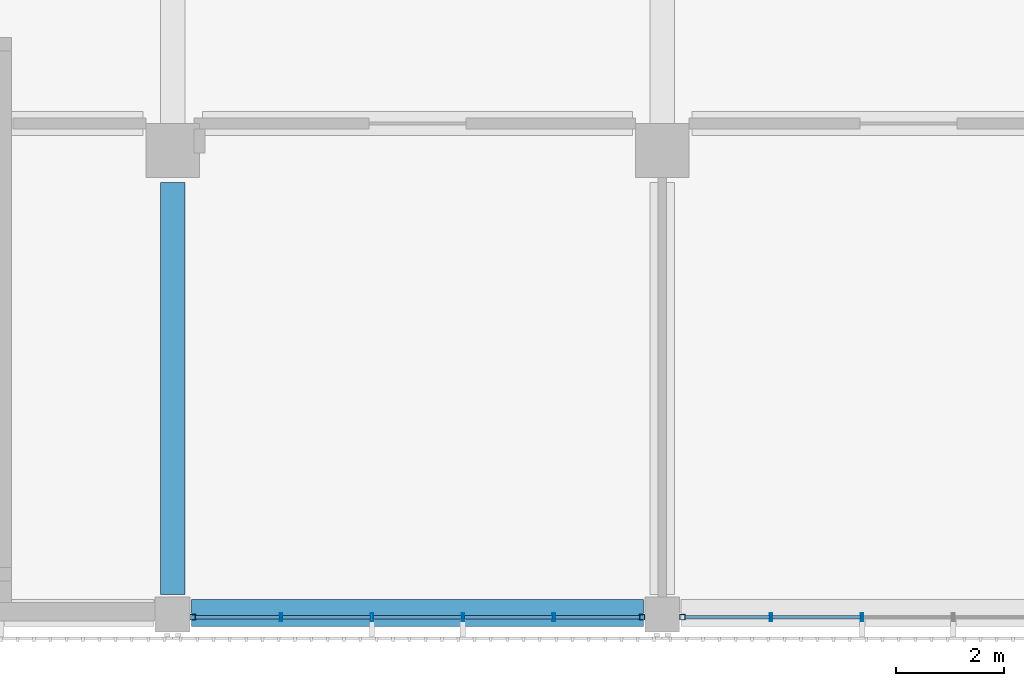
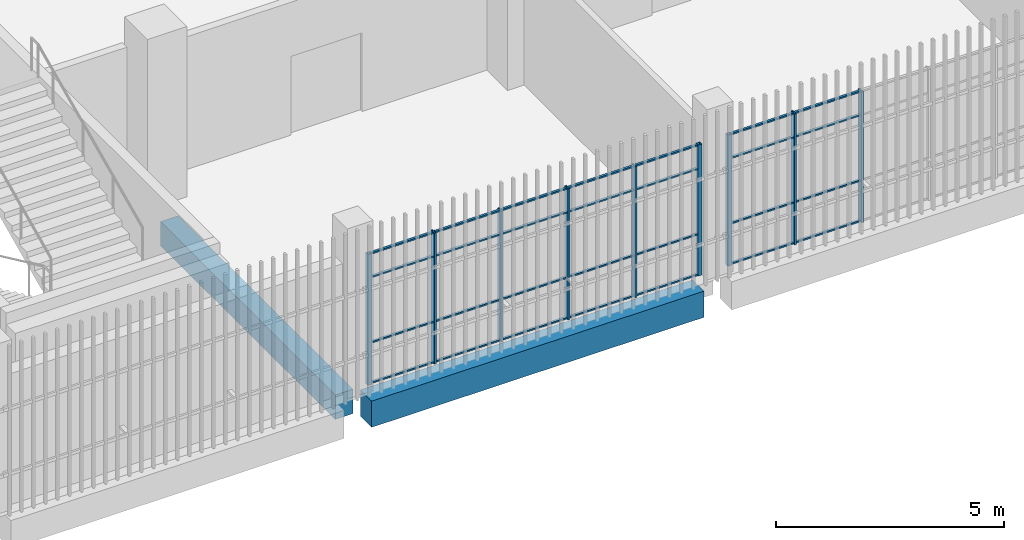
# One storey, part 16 of 126: 37 members, 2 beams, 2 elements without a shape of their own.
"""IFC4 building model written with IfcOpenShell, lengths in metres."""

from ifc_helpers import new_model, si_unit, direction, frame, origin, origin_2d, place, context, subcontext, project, spatial, rectangle, hollow_rectangle, extrude, material, layer, layer_set, material_profile, profile_set, type_object, element, aggregate, save


model = new_model("IFC4")

# Units and contexts
model_context = context("Model", 3, precision=1e-05, world=origin(), true_north=direction((0.0, 1.0)))
body_context = subcontext(model_context, "Body", "Model", "MODEL_VIEW")
ifc_project = project(units=[si_unit("LENGTHUNIT", "METRE"), si_unit("AREAUNIT", "SQUARE_METRE"), si_unit("VOLUMEUNIT", "CUBIC_METRE"), si_unit("PLANEANGLEUNIT", "RADIAN"), si_unit("MASSUNIT", "GRAM", prefix="KILO")], contexts=[model_context])

# Site, building, storey
site_placement = place(None, origin())
site = spatial("IfcSite", under=ifc_project, at=site_placement, CompositionType="ELEMENT")
building_placement = place(site_placement, origin())
building = spatial("IfcBuilding", under=site, at=building_placement, Name="Shirokan Park Arena", CompositionType="ELEMENT")
storey_placement = place(building_placement, frame((0.0, 0.0, 6.3701171875)))
storey = spatial("IfcBuildingStorey", under=building, at=storey_placement, Name="L01", CompositionType="ELEMENT", Elevation=6.3701171875)

# Curtain wall, members
ifc_material_1 = material(Name="Steel and glass curtain wall", Category="steel")
ifc_layer = layer(ifc_material_1, 0.14990234375)
ifc_layer_set = layer_set([ifc_layer], Name="Steel and glass curtain wall 150 mm")
curtain_wall_type = type_object("IfcCurtainWallType", Name="Curtain wall exposed bay 150", PredefinedType="NOTDEFINED", material=ifc_layer_set)
curtain_wall_1_placement = place(storey_placement, origin())
curtain_wall_1 = element("IfcCurtainWall", 1, at=curtain_wall_1_placement, inside=storey, type_object=curtain_wall_type, Name="Curtain wall south bay 8 L01", PredefinedType="NOTDEFINED")
ifc_material_2 = material(Name="Steel S355", Category="steel")
ifc_material_profile_1 = material_profile(ifc_material_2, hollow_rectangle(XDim=0.10009765625, YDim=0.10009765625, WallThickness=0.006103515625, at=origin_2d()), Name="RHS 100x100x6")
ifc_profile_set_1 = profile_set([ifc_material_profile_1], Name="Steel S355")
member_type_1 = type_object("IfcMemberType", Name="Mullion RHS 100x100x6", PredefinedType="MULLION", material=ifc_profile_set_1)
member_1_placement = place(storey_placement, frame((64.074951171875, -0.074951171875, 0.0), z_axis=(0.0, 0.0, 1.0), x_axis=(0.0, 1.0, 0.0)))
member_1 = element("IfcMember", 2, at=member_1_placement, type_object=member_type_1, Name="CW1 mullion 1", PredefinedType="MULLION", context=body_context, shape_type="SweptSolid", body=[
    extrude(hollow_rectangle(XDim=0.10009765625, YDim=0.10009765625, WallThickness=0.006103515625, at=origin_2d()), origin(), (0.0, 0.0, 1.0), 3.5),
])
member_2_placement = place(storey_placement, frame((72.425048828125, -0.074951171875, 0.0), z_axis=(0.0, 0.0, 1.0), x_axis=(0.0, 1.0, 0.0)))
member_2 = element("IfcMember", 3, at=member_2_placement, type_object=member_type_1, Name="CW1 mullion 6", PredefinedType="MULLION", context=body_context, shape_type="SweptSolid", body=[
    extrude(hollow_rectangle(XDim=0.10009765625, YDim=0.10009765625, WallThickness=0.006103515625, at=origin_2d()), origin(), (0.0, 0.0, 1.0), 3.5),
])

# Curtain wall, member
curtain_wall_2_placement = place(storey_placement, origin())
curtain_wall_2 = element("IfcCurtainWall", 4, at=curtain_wall_2_placement, inside=storey, type_object=curtain_wall_type, Name="Curtain wall south bay 9 L01", PredefinedType="NOTDEFINED")
member_3_placement = place(storey_placement, frame((73.175048828125, -0.074951171875, 0.0), z_axis=(0.0, 0.0, 1.0), x_axis=(0.0, 1.0, 0.0)))
member_3 = element("IfcMember", 5, at=member_3_placement, type_object=member_type_1, Name="CW1 mullion 1", PredefinedType="MULLION", context=body_context, shape_type="SweptSolid", body=[
    extrude(hollow_rectangle(XDim=0.10009765625, YDim=0.10009765625, WallThickness=0.006103515625, at=origin_2d()), origin(), (0.0, 0.0, 1.0), 3.5),
])

# Member
ifc_material_profile_2 = material_profile(ifc_material_2, hollow_rectangle(XDim=0.14990234375, YDim=0.050048828125, WallThickness=0.006103515625, at=origin_2d()), Name="RHS 150x50x6")
ifc_profile_set_2 = profile_set([ifc_material_profile_2], Name="Steel S355")
member_type_2 = type_object("IfcMemberType", Name="Mullion RHS 150x50x6", PredefinedType="MULLION", material=ifc_profile_set_2)
member_4_placement = place(storey_placement, frame((65.715087890625, -0.074951171875, 0.0), z_axis=(0.0, 0.0, 1.0), x_axis=(0.0, 1.0, 0.0)))
member_4 = element("IfcMember", 6, at=member_4_placement, type_object=member_type_2, Name="CW1 mullion 2", PredefinedType="MULLION", context=body_context, shape_type="SweptSolid", body=[
    extrude(hollow_rectangle(XDim=0.14990234375, YDim=0.050048828125, WallThickness=0.006103515625, at=origin_2d()), origin(), (0.0, 0.0, 1.0), 3.5),
])

member_5_placement = place(storey_placement, frame((67.405029296875, -0.074951171875, 0.0), z_axis=(0.0, 0.0, 1.0), x_axis=(0.0, 1.0, 0.0)))
member_5 = element("IfcMember", 7, at=member_5_placement, type_object=member_type_2, Name="CW1 mullion 3", PredefinedType="MULLION", context=body_context, shape_type="SweptSolid", body=[
    extrude(hollow_rectangle(XDim=0.14990234375, YDim=0.050048828125, WallThickness=0.006103515625, at=origin_2d()), origin(), (0.0, 0.0, 1.0), 3.5),
])

member_6_placement = place(storey_placement, frame((69.094970703125, -0.074951171875, 0.0), z_axis=(0.0, 0.0, 1.0), x_axis=(0.0, 1.0, 0.0)))
member_6 = element("IfcMember", 8, at=member_6_placement, type_object=member_type_2, Name="CW1 mullion 4", PredefinedType="MULLION", context=body_context, shape_type="SweptSolid", body=[
    extrude(hollow_rectangle(XDim=0.14990234375, YDim=0.050048828125, WallThickness=0.006103515625, at=origin_2d()), origin(), (0.0, 0.0, 1.0), 3.5),
])

member_7_placement = place(storey_placement, frame((70.784912109375, -0.074951171875, 0.0), z_axis=(0.0, 0.0, 1.0), x_axis=(0.0, 1.0, 0.0)))
member_7 = element("IfcMember", 9, at=member_7_placement, type_object=member_type_2, Name="CW1 mullion 5", PredefinedType="MULLION", context=body_context, shape_type="SweptSolid", body=[
    extrude(hollow_rectangle(XDim=0.14990234375, YDim=0.050048828125, WallThickness=0.006103515625, at=origin_2d()), origin(), (0.0, 0.0, 1.0), 3.5),
])

member_8_placement = place(storey_placement, frame((74.820068359375, -0.074951171875, 0.0), z_axis=(0.0, 0.0, 1.0), x_axis=(0.0, 1.0, 0.0)))
member_8 = element("IfcMember", 10, at=member_8_placement, type_object=member_type_2, Name="CW1 mullion 2", PredefinedType="MULLION", context=body_context, shape_type="SweptSolid", body=[
    extrude(hollow_rectangle(XDim=0.14990234375, YDim=0.050048828125, WallThickness=0.006103515625, at=origin_2d()), origin(), (0.0, 0.0, 1.0), 3.5),
])

member_9_placement = place(storey_placement, frame((76.514892578125, -0.074951171875, 0.0), z_axis=(0.0, 0.0, 1.0), x_axis=(0.0, 1.0, 0.0)))
member_9 = element("IfcMember", 11, at=member_9_placement, type_object=member_type_2, Name="CW1 mullion 3", PredefinedType="MULLION", context=body_context, shape_type="SweptSolid", body=[
    extrude(hollow_rectangle(XDim=0.14990234375, YDim=0.050048828125, WallThickness=0.006103515625, at=origin_2d()), origin(), (0.0, 0.0, 1.0), 3.5),
])

# Beams
ifc_material_3 = material(Name="Concrete C35", Category="concrete")
ifc_material_profile_3 = material_profile(ifc_material_3, rectangle(XDim=0.449951171875, YDim=0.64990234375, at=origin_2d()), Name="450x650")
ifc_profile_set_3 = profile_set([ifc_material_profile_3], Name="Concrete C35")
beam_type_1 = type_object("IfcBeamType", Name="RC girder 450x650", PredefinedType="BEAM", material=ifc_profile_set_3)
beam_1_placement = place(storey_placement, frame((63.699951171875, 0.35009765625, -0.675048828125), z_axis=(0.0, 1.0, 0.0), x_axis=(-1.0, 0.0, 0.0)))
element("IfcBeam", 12, at=beam_1_placement, inside=storey, type_object=beam_type_1, Name="Girder 8A-8B L01", PredefinedType="BEAM", context=body_context, shape_type="SweptSolid", body=[
    extrude(rectangle(XDim=0.449951171875, YDim=0.64990234375, at=origin_2d()), origin(), (0.0, 0.0, 1.0), 7.64990234375),
])
ifc_material_profile_4 = material_profile(ifc_material_3, rectangle(XDim=0.5, YDim=0.699951171875, at=origin_2d()), Name="500x700")
ifc_profile_set_4 = profile_set([ifc_material_profile_4], Name="Concrete C35")
beam_type_2 = type_object("IfcBeamType", Name="RC girder 500x700", PredefinedType="BEAM", material=ifc_profile_set_4)
beam_2_placement = place(storey_placement, frame((64.050048828125, 0.0, -0.7001953125), z_axis=(1.0, 0.0, 0.0), x_axis=(0.0, 1.0, 0.0)))
element("IfcBeam", 13, at=beam_2_placement, inside=storey, type_object=beam_type_2, Name="Girder 8A-9A L01", PredefinedType="BEAM", context=body_context, shape_type="SweptSolid", body=[
    extrude(rectangle(XDim=0.5, YDim=0.699951171875, at=origin_2d()), origin(), (0.0, 0.0, 1.0), 8.39990234375),
])

# Member
ifc_material_profile_5 = material_profile(ifc_material_2, hollow_rectangle(XDim=0.06005859375, YDim=0.0400390625, WallThickness=0.00390625, at=origin_2d()), Name="RHS 60x40x4")
ifc_profile_set_5 = profile_set([ifc_material_profile_5], Name="Steel S355")
member_type_3 = type_object("IfcMemberType", Name="Transom RHS 60x40x4", PredefinedType="MULLION", material=ifc_profile_set_5)
member_10_placement = place(storey_placement, frame((64.125, -0.074951171875, 0.019775390625), z_axis=(1.0, 0.0, 0.0), x_axis=(0.0, 1.0, 0.0)))
member_10 = element("IfcMember", 14, at=member_10_placement, type_object=member_type_3, Name="CW1 transom 1.1", PredefinedType="MULLION", context=body_context, shape_type="SweptSolid", body=[
    extrude(hollow_rectangle(XDim=0.06005859375, YDim=0.0400390625, WallThickness=0.00390625, at=origin_2d()), origin(), (0.0, 0.0, 1.0), 1.56494140625),
])

member_11_placement = place(storey_placement, frame((64.125, -0.074951171875, 1.099853515625), z_axis=(1.0, 0.0, 0.0), x_axis=(0.0, 1.0, 0.0)))
member_11 = element("IfcMember", 15, at=member_11_placement, type_object=member_type_3, Name="CW1 transom 1.2", PredefinedType="MULLION", context=body_context, shape_type="SweptSolid", body=[
    extrude(hollow_rectangle(XDim=0.06005859375, YDim=0.0400390625, WallThickness=0.00390625, at=origin_2d()), origin(), (0.0, 0.0, 1.0), 1.56494140625),
])

member_12_placement = place(storey_placement, frame((64.125, -0.074951171875, 2.849853515625), z_axis=(1.0, 0.0, 0.0), x_axis=(0.0, 1.0, 0.0)))
member_12 = element("IfcMember", 16, at=member_12_placement, type_object=member_type_3, Name="CW1 transom 1.3", PredefinedType="MULLION", context=body_context, shape_type="SweptSolid", body=[
    extrude(hollow_rectangle(XDim=0.06005859375, YDim=0.0400390625, WallThickness=0.00390625, at=origin_2d()), origin(), (0.0, 0.0, 1.0), 1.56494140625),
])

member_13_placement = place(storey_placement, frame((64.125, -0.074951171875, 3.47998046875), z_axis=(1.0, 0.0, 0.0), x_axis=(0.0, 1.0, 0.0)))
member_13 = element("IfcMember", 17, at=member_13_placement, type_object=member_type_3, Name="CW1 transom 1.4", PredefinedType="MULLION", context=body_context, shape_type="SweptSolid", body=[
    extrude(hollow_rectangle(XDim=0.06005859375, YDim=0.0400390625, WallThickness=0.00390625, at=origin_2d()), origin(), (0.0, 0.0, 1.0), 1.56494140625),
])

member_14_placement = place(storey_placement, frame((65.739990234375, -0.074951171875, 0.019775390625), z_axis=(1.0, 0.0, 0.0), x_axis=(0.0, 1.0, 0.0)))
member_14 = element("IfcMember", 18, at=member_14_placement, type_object=member_type_3, Name="CW1 transom 2.1", PredefinedType="MULLION", context=body_context, shape_type="SweptSolid", body=[
    extrude(hollow_rectangle(XDim=0.06005859375, YDim=0.0400390625, WallThickness=0.00390625, at=origin_2d()), origin(), (0.0, 0.0, 1.0), 1.639892578125),
])

member_15_placement = place(storey_placement, frame((65.739990234375, -0.074951171875, 1.099853515625), z_axis=(1.0, 0.0, 0.0), x_axis=(0.0, 1.0, 0.0)))
member_15 = element("IfcMember", 19, at=member_15_placement, type_object=member_type_3, Name="CW1 transom 2.2", PredefinedType="MULLION", context=body_context, shape_type="SweptSolid", body=[
    extrude(hollow_rectangle(XDim=0.06005859375, YDim=0.0400390625, WallThickness=0.00390625, at=origin_2d()), origin(), (0.0, 0.0, 1.0), 1.639892578125),
])

member_16_placement = place(storey_placement, frame((65.739990234375, -0.074951171875, 2.849853515625), z_axis=(1.0, 0.0, 0.0), x_axis=(0.0, 1.0, 0.0)))
member_16 = element("IfcMember", 20, at=member_16_placement, type_object=member_type_3, Name="CW1 transom 2.3", PredefinedType="MULLION", context=body_context, shape_type="SweptSolid", body=[
    extrude(hollow_rectangle(XDim=0.06005859375, YDim=0.0400390625, WallThickness=0.00390625, at=origin_2d()), origin(), (0.0, 0.0, 1.0), 1.639892578125),
])

member_17_placement = place(storey_placement, frame((65.739990234375, -0.074951171875, 3.47998046875), z_axis=(1.0, 0.0, 0.0), x_axis=(0.0, 1.0, 0.0)))
member_17 = element("IfcMember", 21, at=member_17_placement, type_object=member_type_3, Name="CW1 transom 2.4", PredefinedType="MULLION", context=body_context, shape_type="SweptSolid", body=[
    extrude(hollow_rectangle(XDim=0.06005859375, YDim=0.0400390625, WallThickness=0.00390625, at=origin_2d()), origin(), (0.0, 0.0, 1.0), 1.639892578125),
])

member_18_placement = place(storey_placement, frame((67.429931640625, -0.074951171875, 0.019775390625), z_axis=(1.0, 0.0, 0.0), x_axis=(0.0, 1.0, 0.0)))
member_18 = element("IfcMember", 22, at=member_18_placement, type_object=member_type_3, Name="CW1 transom 3.1", PredefinedType="MULLION", context=body_context, shape_type="SweptSolid", body=[
    extrude(hollow_rectangle(XDim=0.06005859375, YDim=0.0400390625, WallThickness=0.00390625, at=origin_2d()), origin(), (0.0, 0.0, 1.0), 1.64013671875),
])

member_19_placement = place(storey_placement, frame((67.429931640625, -0.074951171875, 1.099853515625), z_axis=(1.0, 0.0, 0.0), x_axis=(0.0, 1.0, 0.0)))
member_19 = element("IfcMember", 23, at=member_19_placement, type_object=member_type_3, Name="CW1 transom 3.2", PredefinedType="MULLION", context=body_context, shape_type="SweptSolid", body=[
    extrude(hollow_rectangle(XDim=0.06005859375, YDim=0.0400390625, WallThickness=0.00390625, at=origin_2d()), origin(), (0.0, 0.0, 1.0), 1.64013671875),
])

member_20_placement = place(storey_placement, frame((67.429931640625, -0.074951171875, 2.849853515625), z_axis=(1.0, 0.0, 0.0), x_axis=(0.0, 1.0, 0.0)))
member_20 = element("IfcMember", 24, at=member_20_placement, type_object=member_type_3, Name="CW1 transom 3.3", PredefinedType="MULLION", context=body_context, shape_type="SweptSolid", body=[
    extrude(hollow_rectangle(XDim=0.06005859375, YDim=0.0400390625, WallThickness=0.00390625, at=origin_2d()), origin(), (0.0, 0.0, 1.0), 1.64013671875),
])

member_21_placement = place(storey_placement, frame((67.429931640625, -0.074951171875, 3.47998046875), z_axis=(1.0, 0.0, 0.0), x_axis=(0.0, 1.0, 0.0)))
member_21 = element("IfcMember", 25, at=member_21_placement, type_object=member_type_3, Name="CW1 transom 3.4", PredefinedType="MULLION", context=body_context, shape_type="SweptSolid", body=[
    extrude(hollow_rectangle(XDim=0.06005859375, YDim=0.0400390625, WallThickness=0.00390625, at=origin_2d()), origin(), (0.0, 0.0, 1.0), 1.64013671875),
])

member_22_placement = place(storey_placement, frame((69.1201171875, -0.074951171875, 0.019775390625), z_axis=(1.0, 0.0, 0.0), x_axis=(0.0, 1.0, 0.0)))
member_22 = element("IfcMember", 26, at=member_22_placement, type_object=member_type_3, Name="CW1 transom 4.1", PredefinedType="MULLION", context=body_context, shape_type="SweptSolid", body=[
    extrude(hollow_rectangle(XDim=0.06005859375, YDim=0.0400390625, WallThickness=0.00390625, at=origin_2d()), origin(), (0.0, 0.0, 1.0), 1.639892578125),
])

member_23_placement = place(storey_placement, frame((69.1201171875, -0.074951171875, 1.099853515625), z_axis=(1.0, 0.0, 0.0), x_axis=(0.0, 1.0, 0.0)))
member_23 = element("IfcMember", 27, at=member_23_placement, type_object=member_type_3, Name="CW1 transom 4.2", PredefinedType="MULLION", context=body_context, shape_type="SweptSolid", body=[
    extrude(hollow_rectangle(XDim=0.06005859375, YDim=0.0400390625, WallThickness=0.00390625, at=origin_2d()), origin(), (0.0, 0.0, 1.0), 1.639892578125),
])

member_24_placement = place(storey_placement, frame((69.1201171875, -0.074951171875, 2.849853515625), z_axis=(1.0, 0.0, 0.0), x_axis=(0.0, 1.0, 0.0)))
member_24 = element("IfcMember", 28, at=member_24_placement, type_object=member_type_3, Name="CW1 transom 4.3", PredefinedType="MULLION", context=body_context, shape_type="SweptSolid", body=[
    extrude(hollow_rectangle(XDim=0.06005859375, YDim=0.0400390625, WallThickness=0.00390625, at=origin_2d()), origin(), (0.0, 0.0, 1.0), 1.639892578125),
])

member_25_placement = place(storey_placement, frame((69.1201171875, -0.074951171875, 3.47998046875), z_axis=(1.0, 0.0, 0.0), x_axis=(0.0, 1.0, 0.0)))
member_25 = element("IfcMember", 29, at=member_25_placement, type_object=member_type_3, Name="CW1 transom 4.4", PredefinedType="MULLION", context=body_context, shape_type="SweptSolid", body=[
    extrude(hollow_rectangle(XDim=0.06005859375, YDim=0.0400390625, WallThickness=0.00390625, at=origin_2d()), origin(), (0.0, 0.0, 1.0), 1.639892578125),
])

member_26_placement = place(storey_placement, frame((70.81005859375, -0.074951171875, 0.019775390625), z_axis=(1.0, 0.0, 0.0), x_axis=(0.0, 1.0, 0.0)))
member_26 = element("IfcMember", 30, at=member_26_placement, type_object=member_type_3, Name="CW1 transom 5.1", PredefinedType="MULLION", context=body_context, shape_type="SweptSolid", body=[
    extrude(hollow_rectangle(XDim=0.06005859375, YDim=0.0400390625, WallThickness=0.00390625, at=origin_2d()), origin(), (0.0, 0.0, 1.0), 1.56494140625),
])

member_27_placement = place(storey_placement, frame((70.81005859375, -0.074951171875, 1.099853515625), z_axis=(1.0, 0.0, 0.0), x_axis=(0.0, 1.0, 0.0)))
member_27 = element("IfcMember", 31, at=member_27_placement, type_object=member_type_3, Name="CW1 transom 5.2", PredefinedType="MULLION", context=body_context, shape_type="SweptSolid", body=[
    extrude(hollow_rectangle(XDim=0.06005859375, YDim=0.0400390625, WallThickness=0.00390625, at=origin_2d()), origin(), (0.0, 0.0, 1.0), 1.56494140625),
])

member_28_placement = place(storey_placement, frame((70.81005859375, -0.074951171875, 2.849853515625), z_axis=(1.0, 0.0, 0.0), x_axis=(0.0, 1.0, 0.0)))
member_28 = element("IfcMember", 32, at=member_28_placement, type_object=member_type_3, Name="CW1 transom 5.3", PredefinedType="MULLION", context=body_context, shape_type="SweptSolid", body=[
    extrude(hollow_rectangle(XDim=0.06005859375, YDim=0.0400390625, WallThickness=0.00390625, at=origin_2d()), origin(), (0.0, 0.0, 1.0), 1.56494140625),
])

member_29_placement = place(storey_placement, frame((70.81005859375, -0.074951171875, 3.47998046875), z_axis=(1.0, 0.0, 0.0), x_axis=(0.0, 1.0, 0.0)))
member_29 = element("IfcMember", 33, at=member_29_placement, type_object=member_type_3, Name="CW1 transom 5.4", PredefinedType="MULLION", context=body_context, shape_type="SweptSolid", body=[
    extrude(hollow_rectangle(XDim=0.06005859375, YDim=0.0400390625, WallThickness=0.00390625, at=origin_2d()), origin(), (0.0, 0.0, 1.0), 1.56494140625),
])

aggregate(curtain_wall_1, [member_1, member_4, member_5, member_6, member_7, member_2, member_10, member_11, member_12, member_13, member_14, member_15, member_16, member_17, member_18, member_19, member_20, member_21, member_22, member_23, member_24, member_25, member_26, member_27, member_28, member_29])

member_30_placement = place(storey_placement, frame((73.22509765625, -0.074951171875, 0.019775390625), z_axis=(1.0, 0.0, 0.0), x_axis=(0.0, 1.0, 0.0)))
member_30 = element("IfcMember", 34, at=member_30_placement, type_object=member_type_3, Name="CW1 transom 1.1", PredefinedType="MULLION", context=body_context, shape_type="SweptSolid", body=[
    extrude(hollow_rectangle(XDim=0.06005859375, YDim=0.0400390625, WallThickness=0.00390625, at=origin_2d()), origin(), (0.0, 0.0, 1.0), 1.56982421875),
])

member_31_placement = place(storey_placement, frame((73.22509765625, -0.074951171875, 1.099853515625), z_axis=(1.0, 0.0, 0.0), x_axis=(0.0, 1.0, 0.0)))
member_31 = element("IfcMember", 35, at=member_31_placement, type_object=member_type_3, Name="CW1 transom 1.2", PredefinedType="MULLION", context=body_context, shape_type="SweptSolid", body=[
    extrude(hollow_rectangle(XDim=0.06005859375, YDim=0.0400390625, WallThickness=0.00390625, at=origin_2d()), origin(), (0.0, 0.0, 1.0), 1.56982421875),
])

member_32_placement = place(storey_placement, frame((73.22509765625, -0.074951171875, 2.849853515625), z_axis=(1.0, 0.0, 0.0), x_axis=(0.0, 1.0, 0.0)))
member_32 = element("IfcMember", 36, at=member_32_placement, type_object=member_type_3, Name="CW1 transom 1.3", PredefinedType="MULLION", context=body_context, shape_type="SweptSolid", body=[
    extrude(hollow_rectangle(XDim=0.06005859375, YDim=0.0400390625, WallThickness=0.00390625, at=origin_2d()), origin(), (0.0, 0.0, 1.0), 1.56982421875),
])

member_33_placement = place(storey_placement, frame((73.22509765625, -0.074951171875, 3.47998046875), z_axis=(1.0, 0.0, 0.0), x_axis=(0.0, 1.0, 0.0)))
member_33 = element("IfcMember", 37, at=member_33_placement, type_object=member_type_3, Name="CW1 transom 1.4", PredefinedType="MULLION", context=body_context, shape_type="SweptSolid", body=[
    extrude(hollow_rectangle(XDim=0.06005859375, YDim=0.0400390625, WallThickness=0.00390625, at=origin_2d()), origin(), (0.0, 0.0, 1.0), 1.56982421875),
])

member_34_placement = place(storey_placement, frame((74.844970703125, -0.074951171875, 0.019775390625), z_axis=(1.0, 0.0, 0.0), x_axis=(0.0, 1.0, 0.0)))
member_34 = element("IfcMember", 38, at=member_34_placement, type_object=member_type_3, Name="CW1 transom 2.1", PredefinedType="MULLION", context=body_context, shape_type="SweptSolid", body=[
    extrude(hollow_rectangle(XDim=0.06005859375, YDim=0.0400390625, WallThickness=0.00390625, at=origin_2d()), origin(), (0.0, 0.0, 1.0), 1.64501953125),
])

member_35_placement = place(storey_placement, frame((74.844970703125, -0.074951171875, 1.099853515625), z_axis=(1.0, 0.0, 0.0), x_axis=(0.0, 1.0, 0.0)))
member_35 = element("IfcMember", 39, at=member_35_placement, type_object=member_type_3, Name="CW1 transom 2.2", PredefinedType="MULLION", context=body_context, shape_type="SweptSolid", body=[
    extrude(hollow_rectangle(XDim=0.06005859375, YDim=0.0400390625, WallThickness=0.00390625, at=origin_2d()), origin(), (0.0, 0.0, 1.0), 1.64501953125),
])

member_36_placement = place(storey_placement, frame((74.844970703125, -0.074951171875, 2.849853515625), z_axis=(1.0, 0.0, 0.0), x_axis=(0.0, 1.0, 0.0)))
member_36 = element("IfcMember", 40, at=member_36_placement, type_object=member_type_3, Name="CW1 transom 2.3", PredefinedType="MULLION", context=body_context, shape_type="SweptSolid", body=[
    extrude(hollow_rectangle(XDim=0.06005859375, YDim=0.0400390625, WallThickness=0.00390625, at=origin_2d()), origin(), (0.0, 0.0, 1.0), 1.64501953125),
])

member_37_placement = place(storey_placement, frame((74.844970703125, -0.074951171875, 3.47998046875), z_axis=(1.0, 0.0, 0.0), x_axis=(0.0, 1.0, 0.0)))
member_37 = element("IfcMember", 41, at=member_37_placement, type_object=member_type_3, Name="CW1 transom 2.4", PredefinedType="MULLION", context=body_context, shape_type="SweptSolid", body=[
    extrude(hollow_rectangle(XDim=0.06005859375, YDim=0.0400390625, WallThickness=0.00390625, at=origin_2d()), origin(), (0.0, 0.0, 1.0), 1.64501953125),
])

aggregate(curtain_wall_2, [member_3, member_8, member_9, member_30, member_31, member_32, member_33, member_34, member_35, member_36, member_37])

save(model, "model.ifc")
